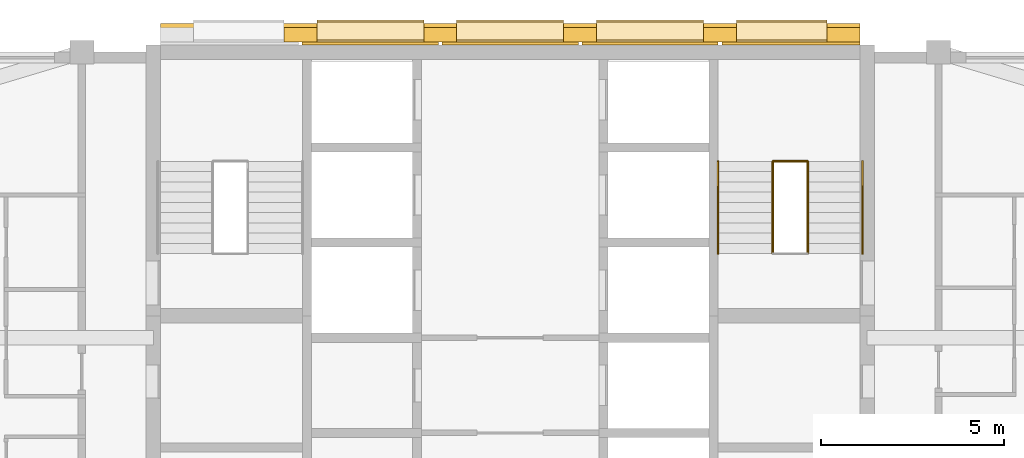
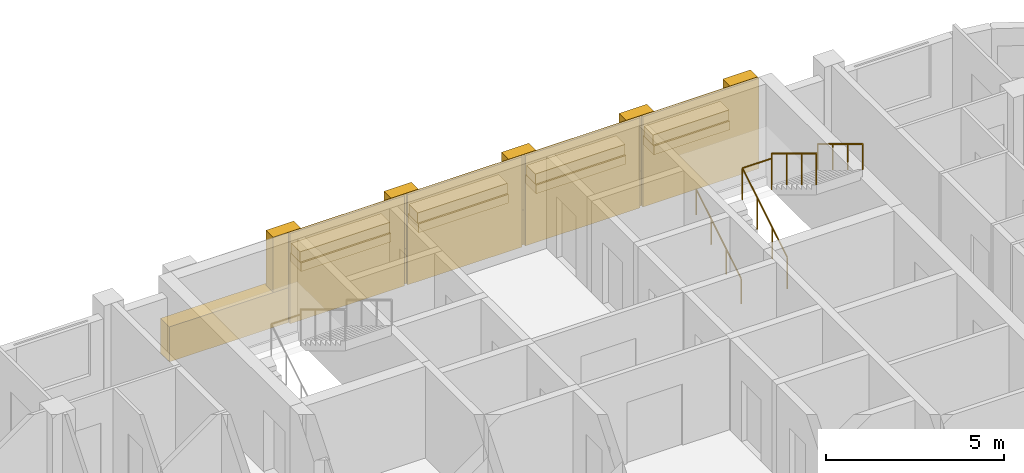
# One storey, part 13 of 13: 18 coverings, 5 railings, 1 element without a shape of its own.
"""IFC4 building model written with IfcOpenShell, lengths in metres."""

import ifcopenshell
import ifcopenshell.guid

model = None  # the IFC model being written
_history = None  # IfcOwnerHistory: only IFC2X3 demands one
_inside = {}  # id of a spatial element -> (the spatial element, [elements in it])
_under = {}  # id of a project, library or spatial element -> (it, [spatial elements below it])
_declared = {}  # id of a project -> (the project, [libraries it declares])
_typed = {}  # id of a type object -> (the type object, [elements of that type])
_made_of = {}  # id of a material, layer set ... -> (it, [elements and type objects made of it])


def new_model(schema):
    """Start an empty IFC model of exactly this schema.

    Asked for "IFC4X3", IfcOpenShell would pick the latest addendum, in which some entities
    have other attributes; the version numbers below select the first issue.
    IFC2X3 requires an IfcOwnerHistory on every rooted entity: one is made here for all.
    """
    global model, _history
    if schema == "IFC4X3":
        model = ifcopenshell.file(schema_version=(4, 3, 0, 0))
    else:
        model = ifcopenshell.file(schema=schema)
    _inside.clear()
    _under.clear()
    _declared.clear()
    _typed.clear()
    _made_of.clear()
    _history = None
    if model.schema == "IFC2X3":
        org = make("IfcOrganization", Name="unknown")
        user = make(
            "IfcPersonAndOrganization",
            ThePerson=make("IfcPerson", FamilyName="unknown"),
            TheOrganization=org,
        )
        app = make(
            "IfcApplication",
            ApplicationDeveloper=org,
            Version="unknown",
            ApplicationFullName="unknown",
            ApplicationIdentifier="unknown",
        )
        _history = make(
            "IfcOwnerHistory",
            OwningUser=user,
            OwningApplication=app,
            ChangeAction="ADDED",
            CreationDate=0,
        )
    return model


def make(cls, **values):
    """One entity of the class cls with the attributes given. An attribute that is None is left unset."""
    return model.create_entity(
        cls, **{name: value for name, value in values.items() if value is not None}
    )


def rooted(cls, **values):
    """An entity with a GlobalId (a new one), such as an element, a storey or a relation."""
    return make(cls, GlobalId=ifcopenshell.guid.new(), OwnerHistory=_history, **values)


def si_unit(unit_type, name, prefix=None):
    """IfcSIUnit, for example si_unit("LENGTHUNIT", "METRE", prefix="MILLI")."""
    return make("IfcSIUnit", UnitType=unit_type, Prefix=prefix, Name=name)


def assignment(units):
    """IfcUnitAssignment: the units of a project."""
    return None if units is None else make("IfcUnitAssignment", Units=units)


def point(xyz):
    """IfcCartesianPoint."""
    return None if xyz is None else make("IfcCartesianPoint", Coordinates=xyz)


def direction(xyz):
    """IfcDirection."""
    return None if xyz is None else make("IfcDirection", DirectionRatios=xyz)


def frame(location, z_axis=None, x_axis=None):
    """IfcAxis2Placement3D, a coordinate frame: its origin and axes. An axis left out is left unset."""
    return make(
        "IfcAxis2Placement3D",
        Location=point(location),
        Axis=direction(z_axis),
        RefDirection=direction(x_axis),
    )


def frame_2d(location, x_axis=None):
    """IfcAxis2Placement2D, a coordinate frame in the plane: its origin and x axis."""
    return make(
        "IfcAxis2Placement2D", Location=point(location), RefDirection=direction(x_axis)
    )


def origin():
    """The frame at (0, 0, 0) with its axes left unset."""
    return frame((0.0, 0.0, 0.0))


def origin_2d():
    """The frame at (0, 0) in the plane with its x axis left unset."""
    return frame_2d((0.0, 0.0))


def place(relative_to, where):
    """IfcLocalPlacement: puts the frame where relative to a parent placement (None: the world)."""
    return make(
        "IfcLocalPlacement", PlacementRelTo=relative_to, RelativePlacement=where
    )


def context(
    kind, dimensions, precision=None, world=None, true_north=None, identifier=None
):
    """IfcGeometricRepresentationContext, for example the 3D "Model" context."""
    return make(
        "IfcGeometricRepresentationContext",
        ContextIdentifier=identifier,
        ContextType=kind,
        CoordinateSpaceDimension=dimensions,
        Precision=precision,
        WorldCoordinateSystem=world,
        TrueNorth=true_north,
    )


def subcontext(parent, identifier, kind, view, scale=None):
    """IfcGeometricRepresentationSubContext, for example "Body" below "Model"."""
    return make(
        "IfcGeometricRepresentationSubContext",
        ContextIdentifier=identifier,
        ContextType=kind,
        ParentContext=parent,
        TargetScale=scale,
        TargetView=view,
    )


def project(units=None, contexts=None):
    """IfcProject with its units and contexts."""
    return rooted(
        "IfcProject",
        Name="project",
        RepresentationContexts=contexts,
        UnitsInContext=assignment(units),
    )


def spatial(cls, under=None, at=None, **own):
    """A site, building, storey or space (cls), placed at a placement, below another one or the project."""
    s = rooted(cls, ObjectPlacement=at, **own)
    if under is not None:
        _under.setdefault(under.id(), (under, []))[1].append(s)
    return s


def profile(cls, at=None, kind="AREA", **sizes):
    """A parametric profile (cls). Its sizes go by their IFC names, for example OverallWidth=200.0."""
    return make(cls, ProfileType=kind, Position=at, **sizes)


def rectangle(**sizes):
    """IfcRectangleProfileDef."""
    return profile("IfcRectangleProfileDef", **sizes)


def circle(**sizes):
    """IfcCircleProfileDef."""
    return profile("IfcCircleProfileDef", **sizes)


def extrude(swept, where, along, depth):
    """IfcExtrudedAreaSolid: the profile swept, set in the frame where, extruded along a direction by depth."""
    return make(
        "IfcExtrudedAreaSolid",
        SweptArea=swept,
        Position=where,
        ExtrudedDirection=direction(along),
        Depth=depth,
    )


def shape(context_of_items, identifier, shape_type, items):
    """IfcShapeRepresentation: the items that make up one representation, for example the "Body"."""
    return make(
        "IfcShapeRepresentation",
        ContextOfItems=context_of_items,
        RepresentationIdentifier=identifier,
        RepresentationType=shape_type,
        Items=items,
    )


def material(Name=None, Category=None):
    """IfcMaterial."""
    return make("IfcMaterial", Name=Name, Category=Category)


def layer(
    of_material, thickness, ventilated=None, Name=None, Category=None, Priority=None
):
    """IfcMaterialLayer: one layer of a wall or slab, of a material (None: an air gap)."""
    return make(
        "IfcMaterialLayer",
        Material=of_material,
        LayerThickness=thickness,
        IsVentilated=ventilated,
        Name=Name,
        Category=Category,
        Priority=Priority,
    )


def layer_set(layers, Name=None):
    """IfcMaterialLayerSet."""
    return make("IfcMaterialLayerSet", MaterialLayers=layers, LayerSetName=Name)


def made_of(thing, what):
    """Note that an element or type object is made of a material, layer set ...; save() writes the relation."""
    if what is not None:
        _made_of.setdefault(what.id(), (what, []))[1].append(thing)
    return thing


def type_object(cls, material=None, **own):
    """A type object (cls), such as IfcWallType, which elements share."""
    return made_of(rooted(cls, **own), material)


def element(
    cls,
    number,
    at=None,
    inside=None,
    cuts=None,
    type_object=None,
    material=None,
    context=None,
    identifier="Body",
    shape_type=None,
    held_by="IfcProductDefinitionShape",
    body=None,
    shapes=None,
    **own,
):
    """One element of the class cls, such as IfcWall. Its Tag is "e" and its number.

    at: its placement. inside: the storey or other place that contains it. cuts: it is an
    opening in that element (IfcRelVoidsElement). A single representation is given by context,
    identifier, shape_type and body (its items); several are given by shapes. held_by: the class
    of the entity that holds the representations. save() writes the other relations.
    """
    e = rooted(cls, Tag="e%d" % number, ObjectPlacement=at, **own)
    if body is not None:
        shapes = [shape(context, identifier, shape_type, body)]
    if shapes is not None:
        e.Representation = make(held_by, Representations=shapes)
    if inside is not None:
        _inside.setdefault(inside.id(), (inside, []))[1].append(e)
    if cuts is not None:
        rooted(
            "IfcRelVoidsElement", RelatingBuildingElement=cuts, RelatedOpeningElement=e
        )
    if type_object is not None:
        _typed.setdefault(type_object.id(), (type_object, []))[1].append(e)
    return made_of(e, material)


def aggregate(whole, parts):
    """IfcRelAggregates: a whole, such as a stair, and the parts it consists of."""
    return rooted("IfcRelAggregates", RelatingObject=whole, RelatedObjects=parts)


def save(model, path):
    """Write the relations noted so far, then the file.

    IfcRelAggregates (storeys below a building ...), IfcRelContainedInSpatialStructure (elements
    in a storey), IfcRelDefinesByType, IfcRelAssociatesMaterial and IfcRelDeclares: one each for
    every whole, place, type object, material and project.
    """
    for whole, parts in _under.values():
        aggregate(whole, parts)
    for where, things in _inside.values():
        rooted(
            "IfcRelContainedInSpatialStructure",
            RelatedElements=things,
            RelatingStructure=where,
        )
    for kind, things in _typed.values():
        rooted("IfcRelDefinesByType", RelatedObjects=things, RelatingType=kind)
    for what, things in _made_of.values():
        rooted("IfcRelAssociatesMaterial", RelatedObjects=things, RelatingMaterial=what)
    for by, libraries in _declared.values():
        rooted("IfcRelDeclares", RelatingContext=by, RelatedDefinitions=libraries)
    model.write(path)


model = new_model("IFC4")

# Units and contexts
model_context = context("Model", 3, precision=1e-05, world=origin(), true_north=direction((0.0, 1.0)))
body_context = subcontext(model_context, "Body", "Model", "MODEL_VIEW")
ifc_project = project(units=[si_unit("LENGTHUNIT", "METRE"), si_unit("AREAUNIT", "SQUARE_METRE"), si_unit("VOLUMEUNIT", "CUBIC_METRE"), si_unit("PLANEANGLEUNIT", "RADIAN"), si_unit("MASSUNIT", "GRAM", prefix="KILO")], contexts=[model_context])

# Site, building, storey
site_placement = place(None, origin())
site = spatial("IfcSite", under=ifc_project, at=site_placement, CompositionType="ELEMENT")
building_placement = place(site_placement, origin())
building = spatial("IfcBuilding", under=site, at=building_placement, Name="Ludao Terraces", CompositionType="ELEMENT")
storey_placement = place(building_placement, frame((0.0, 0.0, 246.0)))
storey = spatial("IfcBuildingStorey", under=building, at=storey_placement, Name="L67", CompositionType="ELEMENT", Elevation=246.0)

# Coverings
ifc_material_1 = material(Name="Granite cladding", Category="masonry")
ifc_layer_1 = layer(ifc_material_1, 0.5)
ifc_layer_set_1 = layer_set([ifc_layer_1], Name="ENV Core base course stone 500")
covering_type_1 = type_object("IfcCoveringType", Name="ENV Core base course stone 500", PredefinedType="CLADDING", material=ifc_layer_set_1)
covering_1_placement = place(storey_placement, frame((85.0, 85.030029296875, 0.0), z_axis=(0.0, 0.0, 1.0), x_axis=(1.0, 0.0, 0.0)))
element("IfcCovering", 1, at=covering_1_placement, inside=storey, type_object=covering_type_1, Name="CC-L67-BASE", PredefinedType="CLADDING", context=body_context, shape_type="SweptSolid", body=[
    extrude(rectangle(XDim=19.10009765625, YDim=0.5, at=origin_2d()), origin(), (0.0, 0.0, 1.0), 1.199951171875),
])
ifc_layer_2 = layer(ifc_material_1, 0.39990234375)
ifc_layer_set_2 = layer_set([ifc_layer_2], Name="ENV Core pilaster stone 400")
covering_type_2 = type_object("IfcCoveringType", Name="ENV Core pilaster stone 400", PredefinedType="CLADDING", material=ifc_layer_set_2)
for number, where, z_axis, x_axis, name in (
    (2, (79.27001953125, 84.97998046875, 1.199951171875), (0.0, 0.0, 1.0), (1.0, 0.0, 0.0), "CC-L67-PIL2"),
    (3, (83.090087890625, 84.97998046875, 1.199951171875), (0.0, 0.0, 1.0), (1.0, 0.0, 0.0), "CC-L67-PIL3"),
    (4, (86.909912109375, 84.97998046875, 1.199951171875), (0.0, 0.0, 1.0), (1.0, 0.0, 0.0), "CC-L67-PIL4"),
    (5, (90.72998046875, 84.97998046875, 1.199951171875), (0.0, 0.0, 1.0), (1.0, 0.0, 0.0), "CC-L67-PIL5"),
    (6, (94.10009765625, 84.97998046875, 1.199951171875), (0.0, 0.0, 1.0), (1.0, 0.0, 0.0), "CC-L67-PIL6"),
):
    element("IfcCovering", number, at=place(storey_placement, frame(where, z_axis=z_axis, x_axis=x_axis)), inside=storey, type_object=covering_type_2, Name=name, PredefinedType="CLADDING", context=body_context, shape_type="SweptSolid", body=[
        extrude(rectangle(XDim=0.89990234375, YDim=0.39990234375, at=origin_2d()), origin(), (0.0, 0.0, 1.0), 1.89990234375),
    ])
ifc_layer_3 = layer(ifc_material_1, 0.60009765625)
ifc_layer_set_3 = layer_set([ifc_layer_3], Name="ENV Core planting shelf stone 600")
covering_type_3 = type_object("IfcCoveringType", Name="ENV Core planting shelf stone 600", PredefinedType="CLADDING", material=ifc_layer_set_3)
for number, where, z_axis, x_axis, name in (
    (7, (81.179931640625, 85.080078125, 1.60009765625), (0.0, 0.0, 1.0), (1.0, 0.0, 0.0), "CC-L67-SHELF2"),
    (8, (85.0, 85.080078125, 1.60009765625), (0.0, 0.0, 1.0), (1.0, 0.0, 0.0), "CC-L67-SHELF3"),
    (9, (88.820068359375, 85.080078125, 1.60009765625), (0.0, 0.0, 1.0), (1.0, 0.0, 0.0), "CC-L67-SHELF4"),
):
    element("IfcCovering", number, at=place(storey_placement, frame(where, z_axis=z_axis, x_axis=x_axis)), inside=storey, type_object=covering_type_3, Name=name, PredefinedType="CLADDING", context=body_context, shape_type="SweptSolid", body=[
        extrude(rectangle(XDim=2.919921875, YDim=0.60009765625, at=origin_2d()), origin(), (0.0, 0.0, 1.0), 0.300048828125),
    ])
covering_2_placement = place(storey_placement, frame((92.4150390625, 85.080078125, 1.60009765625), z_axis=(0.0, 0.0, 1.0), x_axis=(1.0, 0.0, 0.0)))
element("IfcCovering", 10, at=covering_2_placement, inside=storey, type_object=covering_type_3, Name="CC-L67-SHELF5", PredefinedType="CLADDING", context=body_context, shape_type="SweptSolid", body=[
    extrude(rectangle(XDim=2.469970703125, YDim=0.60009765625, at=origin_2d()), origin(), (0.0, 0.0, 1.0), 0.300048828125),
])
ifc_layer_4 = layer(ifc_material_1, 0.080078125)
ifc_layer_set_4 = layer_set([ifc_layer_4], Name="ENV Core stone cladding panel 80")
covering_type_4 = type_object("IfcCoveringType", Name="ENV Core stone cladding panel 80", PredefinedType="CLADDING", material=ifc_layer_set_4)
for number, where, z_axis, x_axis, name in (
    (11, (81.179931640625, 84.739990234375, 0.0), (0.0, 0.0, 1.0), (1.0, 0.0, 0.0), "CC-L67-CORE2"),
    (12, (85.0, 84.739990234375, 0.0), (0.0, 0.0, 1.0), (1.0, 0.0, 0.0), "CC-L67-CORE3"),
    (13, (88.820068359375, 84.739990234375, 0.0), (0.0, 0.0, 1.0), (1.0, 0.0, 0.0), "CC-L67-CORE4"),
):
    element("IfcCovering", number, at=place(storey_placement, frame(where, z_axis=z_axis, x_axis=x_axis)), inside=storey, type_object=covering_type_4, Name=name, PredefinedType="CLADDING", context=body_context, shape_type="SweptSolid", body=[
        extrude(rectangle(XDim=3.719970703125, YDim=0.080078125, at=origin_2d()), origin(), (0.0, 0.0, 1.0), 3.10009765625),
    ])
covering_3_placement = place(storey_placement, frame((92.6650390625, 84.739990234375, 0.0), z_axis=(0.0, 0.0, 1.0), x_axis=(1.0, 0.0, 0.0)))
element("IfcCovering", 14, at=covering_3_placement, inside=storey, type_object=covering_type_4, Name="CC-L67-CORE5", PredefinedType="CLADDING", context=body_context, shape_type="SweptSolid", body=[
    extrude(rectangle(XDim=3.77001953125, YDim=0.080078125, at=origin_2d()), origin(), (0.0, 0.0, 1.0), 3.10009765625),
])
ifc_material_2 = material(Name="Planting")
ifc_layer_5 = layer(ifc_material_2, 0.5)
ifc_layer_set_5 = layer_set([ifc_layer_5], Name="ENV Shelf planting bed 350")
covering_type_5 = type_object("IfcCoveringType", Name="ENV Shelf planting bed 350", PredefinedType="USERDEFINED", material=ifc_layer_set_5)
for number, where, z_axis, x_axis, name in (
    (15, (81.179931640625, 85.080078125, 1.89990234375), (0.0, 0.0, 1.0), (1.0, 0.0, 0.0), "Shelf planting bed L67 2"),
    (16, (85.0, 85.080078125, 1.89990234375), (0.0, 0.0, 1.0), (1.0, 0.0, 0.0), "Shelf planting bed L67 3"),
    (17, (88.820068359375, 85.080078125, 1.89990234375), (0.0, 0.0, 1.0), (1.0, 0.0, 0.0), "Shelf planting bed L67 4"),
):
    element("IfcCovering", number, at=place(storey_placement, frame(where, z_axis=z_axis, x_axis=x_axis)), inside=storey, type_object=covering_type_5, Name=name, ObjectType="PLANTING", PredefinedType="USERDEFINED", context=body_context, shape_type="SweptSolid", body=[
        extrude(rectangle(XDim=2.919921875, YDim=0.5, at=origin_2d()), origin(), (0.0, 0.0, 1.0), 0.35009765625),
    ])
covering_4_placement = place(storey_placement, frame((92.4150390625, 85.080078125, 1.89990234375), z_axis=(0.0, 0.0, 1.0), x_axis=(1.0, 0.0, 0.0)))
element("IfcCovering", 18, at=covering_4_placement, inside=storey, type_object=covering_type_5, Name="Shelf planting bed L67 5", ObjectType="PLANTING", PredefinedType="USERDEFINED", context=body_context, shape_type="SweptSolid", body=[
    extrude(rectangle(XDim=2.469970703125, YDim=0.5, at=origin_2d()), origin(), (0.0, 0.0, 1.0), 0.35009765625),
])

# Stair, railings
ifc_material_3 = material(Name="Concrete C40", Category="concrete")
stair_type = type_object("IfcStairType", Name="INT Stair", PredefinedType="HALF_TURN_STAIR", material=ifc_material_3)
stair_placement = place(storey_placement, origin())
stair = element("IfcStair", 19, at=stair_placement, inside=storey, type_object=stair_type, Name="EXIT STAIR 2", PredefinedType="HALF_TURN_STAIR")
ifc_material_4 = material(Name="Stainless steel 304", Category="steel")
railing_type_1 = type_object("IfcRailingType", Name="INT Stair guard 1100", PredefinedType="GUARDRAIL", material=ifc_material_4)
railing_1_placement = place(storey_placement, frame((92.175048828125, 79.0, 0.169921875)))
railing_1 = element("IfcRailing", 20, at=railing_1_placement, type_object=railing_type_1, Name="ST-L67-S2-R1G", PredefinedType="GUARDRAIL", context=body_context, shape_type="SweptSolid", body=[
    extrude(circle(Radius=0.02392578125, at=origin_2d()), frame((0.0, 0.0, 1.076171875), z_axis=(0.0, 0.85478489116, 0.518982456201), x_axis=(-1.0, 0.0, 0.0)), (0.0, 0.0, 1.0), 2.9482421875),
    extrude(circle(Radius=0.02099609375, at=origin_2d()), origin(), (0.0, 0.0, 1.0), 1.052001953125),
    extrude(circle(Radius=0.02099609375, at=origin_2d()), frame((0.0, 0.840087890625, 0.510009765625)), (0.0, 0.0, 1.0), 1.052001953125),
    extrude(circle(Radius=0.02099609375, at=origin_2d()), frame((0.0, 1.679931640625, 1.02001953125)), (0.0, 0.0, 1.0), 1.052001953125),
    extrude(circle(Radius=0.02099609375, at=origin_2d()), frame((0.0, 2.52001953125, 1.530029296875)), (0.0, 0.0, 1.0), 1.052001953125),
])
railing_2_placement = place(storey_placement, frame((93.125, 81.52001953125, 1.8701171875)))
railing_2 = element("IfcRailing", 21, at=railing_2_placement, type_object=railing_type_1, Name="ST-L67-S2-R2G", PredefinedType="GUARDRAIL", context=body_context, shape_type="SweptSolid", body=[
    extrude(circle(Radius=0.02392578125, at=origin_2d()), frame((0.0, 0.0, 1.076171875), z_axis=(0.0, -0.854821627497, 0.518921945155), x_axis=(1.0, 0.0, 0.0)), (0.0, 0.0, 1.0), 2.947998046875),
    extrude(circle(Radius=0.02099609375, at=origin_2d()), origin(), (0.0, 0.0, 1.0), 1.052001953125),
    extrude(circle(Radius=0.02099609375, at=origin_2d()), frame((0.0, -0.840087890625, 0.510009765625)), (0.0, 0.0, 1.0), 1.052001953125),
    extrude(circle(Radius=0.02099609375, at=origin_2d()), frame((0.0, -1.679931640625, 1.019775390625)), (0.0, 0.0, 1.0), 1.052001953125),
    extrude(circle(Radius=0.02099609375, at=origin_2d()), frame((0.0, -2.52001953125, 1.52978515625)), (0.0, 0.0, 1.0), 1.052001953125),
])
railing_3_placement = place(storey_placement, frame((92.175048828125, 81.52001953125, 1.699951171875)))
railing_3 = element("IfcRailing", 22, at=railing_3_placement, type_object=railing_type_1, Name="ST-L67-S2-E1G", PredefinedType="GUARDRAIL", context=body_context, shape_type="SweptSolid", body=[
    extrude(circle(Radius=0.02392578125, at=origin_2d()), frame((0.0, 0.0, 1.076171875), z_axis=(1.0, 0.0, 0.0), x_axis=(0.0, 1.0, 0.0)), (0.0, 0.0, 1.0), 0.949951171875),
    extrude(circle(Radius=0.02099609375, at=origin_2d()), origin(), (0.0, 0.0, 1.0), 1.052001953125),
    extrude(circle(Radius=0.02099609375, at=origin_2d()), frame((0.949951171875, 0.0, 0.0)), (0.0, 0.0, 1.0), 1.052001953125),
])
railing_type_2 = type_object("IfcRailingType", Name="INT Stair handrail 900", PredefinedType="HANDRAIL", material=ifc_material_4)
railing_4_placement = place(storey_placement, frame((90.675048828125, 79.0, 0.169921875)))
railing_4 = element("IfcRailing", 23, at=railing_4_placement, type_object=railing_type_2, Name="ST-L67-S2-R1H", PredefinedType="HANDRAIL", context=body_context, shape_type="SweptSolid", body=[
    extrude(circle(Radius=0.02392578125, at=origin_2d()), frame((0.0, 0.0, 0.8759765625), z_axis=(0.0, 0.85478489116, 0.518982456201), x_axis=(-1.0, 0.0, 0.0)), (0.0, 0.0, 1.0), 2.9482421875),
    extrude(circle(Radius=0.02099609375, at=origin_2d()), origin(), (0.0, 0.0, 1.0), 0.851806640625),
    extrude(circle(Radius=0.02099609375, at=origin_2d()), frame((0.0, 0.840087890625, 0.510009765625)), (0.0, 0.0, 1.0), 0.851806640625),
    extrude(circle(Radius=0.02099609375, at=origin_2d()), frame((0.0, 1.679931640625, 1.02001953125)), (0.0, 0.0, 1.0), 0.851806640625),
    extrude(circle(Radius=0.02099609375, at=origin_2d()), frame((0.0, 2.52001953125, 1.530029296875)), (0.0, 0.0, 1.0), 0.851806640625),
])
railing_5_placement = place(storey_placement, frame((94.625, 81.52001953125, 1.8701171875)))
railing_5 = element("IfcRailing", 24, at=railing_5_placement, type_object=railing_type_2, Name="ST-L67-S2-R2H", PredefinedType="HANDRAIL", context=body_context, shape_type="SweptSolid", body=[
    extrude(circle(Radius=0.02392578125, at=origin_2d()), frame((0.0, 0.0, 0.8759765625), z_axis=(0.0, -0.854821627497, 0.518921945155), x_axis=(1.0, 0.0, 0.0)), (0.0, 0.0, 1.0), 2.947998046875),
    extrude(circle(Radius=0.02099609375, at=origin_2d()), origin(), (0.0, 0.0, 1.0), 0.851806640625),
    extrude(circle(Radius=0.02099609375, at=origin_2d()), frame((0.0, -0.840087890625, 0.510009765625)), (0.0, 0.0, 1.0), 0.851806640625),
    extrude(circle(Radius=0.02099609375, at=origin_2d()), frame((0.0, -1.679931640625, 1.019775390625)), (0.0, 0.0, 1.0), 0.851806640625),
    extrude(circle(Radius=0.02099609375, at=origin_2d()), frame((0.0, -2.52001953125, 1.52978515625)), (0.0, 0.0, 1.0), 0.851806640625),
])
aggregate(stair, [railing_1, railing_4, railing_2, railing_5, railing_3])

save(model, "model.ifc")
